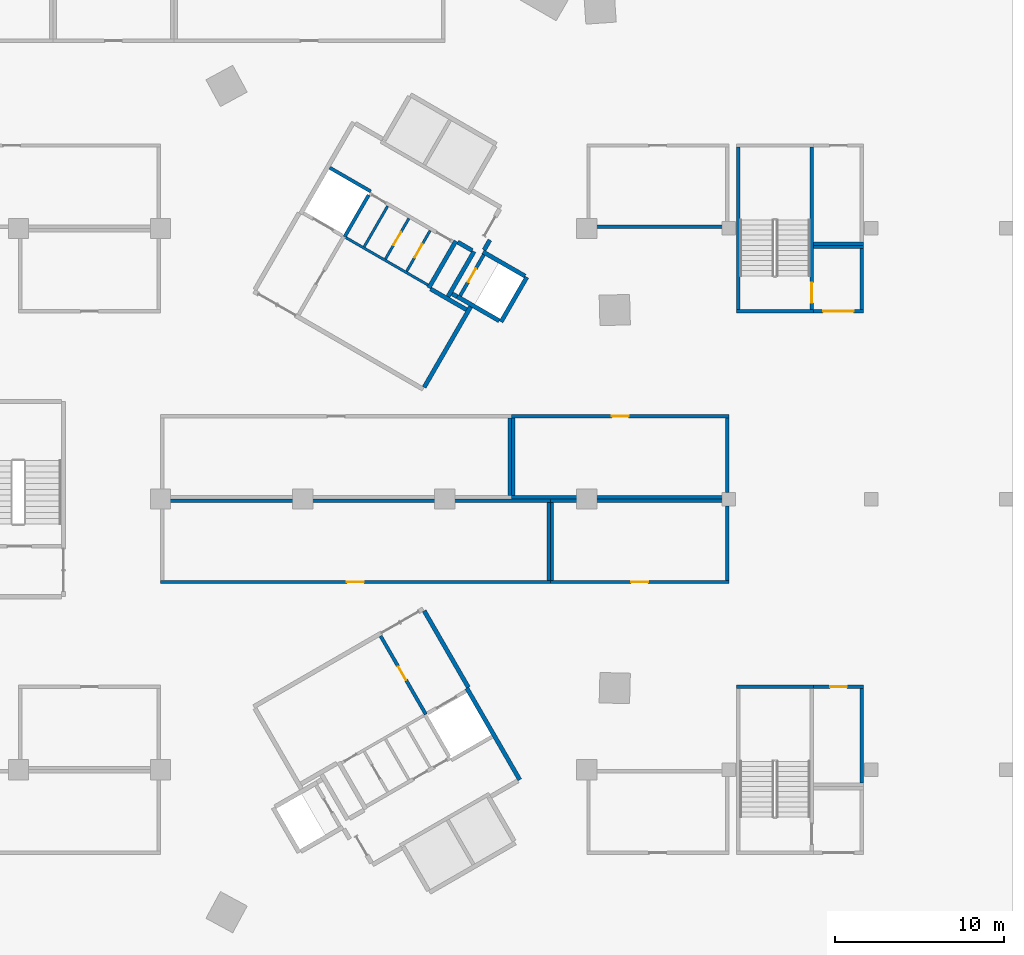
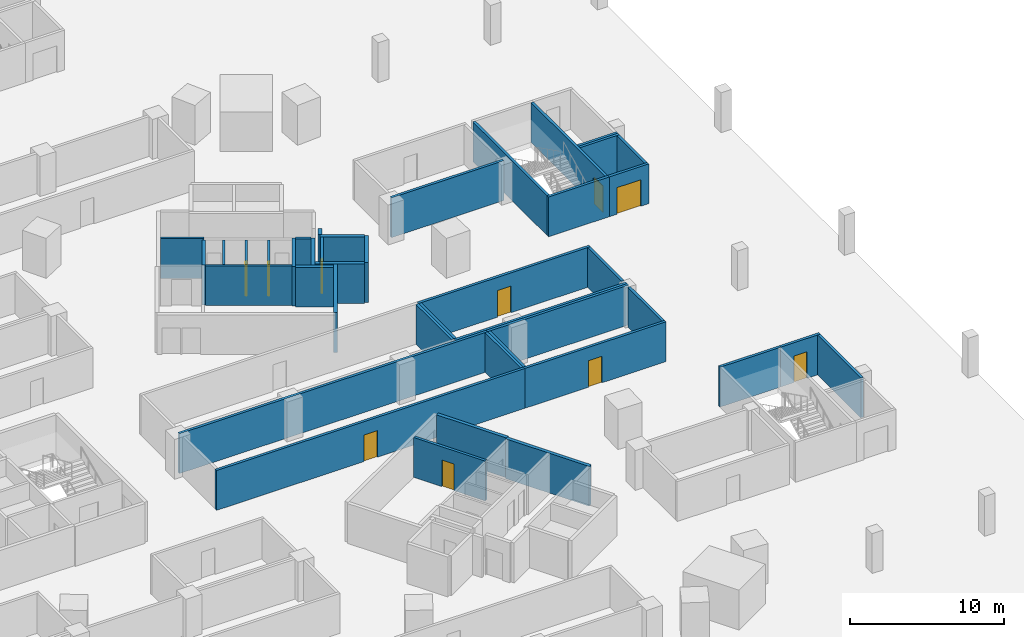
# One storey, part 13 of 37: 43 walls, 10 doors, 10 openings.
"""IFC4 building model written with IfcOpenShell, lengths in metres."""

from ifc_helpers import new_model, si_unit, direction, frame, frame_2d, origin, place, context, subcontext, project, spatial, rectangle, extrude, material, layer, layer_set, type_object, element, fill, save


model = new_model("IFC4")

# Units and contexts
model_context = context("Model", 3, precision=1e-05, world=origin(), true_north=direction((0.0, 1.0)))
body_context = subcontext(model_context, "Body", "Model", "MODEL_VIEW")
ifc_project = project(units=[si_unit("LENGTHUNIT", "METRE"), si_unit("AREAUNIT", "SQUARE_METRE"), si_unit("VOLUMEUNIT", "CUBIC_METRE"), si_unit("PLANEANGLEUNIT", "RADIAN"), si_unit("MASSUNIT", "GRAM", prefix="KILO")], contexts=[model_context])

# Site, building, storey
site_placement = place(None, origin())
site = spatial("IfcSite", under=ifc_project, at=site_placement, CompositionType="ELEMENT")
building_placement = place(site_placement, origin())
building = spatial("IfcBuilding", under=site, at=building_placement, Name="Tamra Quay Hotel Tower", CompositionType="ELEMENT")
storey_placement = place(building_placement, frame((0.0, 0.0, -3.60009765625)))
storey = spatial("IfcBuildingStorey", under=building, at=storey_placement, Name="B1", CompositionType="ELEMENT", Elevation=-3.60009765625)

# Wall, opening, door
ifc_material_1 = material(Name="Blockwork", Category="masonry")
ifc_layer_1 = layer(ifc_material_1, 0.199951171875)
ifc_layer_set_1 = layer_set([ifc_layer_1], Name="Car park room wall 200")
wall_type_1 = type_object("IfcWallType", Name="Car park room wall 200", PredefinedType="PARTITIONING", material=ifc_layer_set_1)
wall_1_placement = place(storey_placement, frame((-5.10009765625, -4.89990234375, 0.0), z_axis=(0.0, 0.0, 1.0), x_axis=(1.0, 0.0, 0.0)))
wall_1 = element("IfcWall", 1, at=wall_1_placement, inside=storey, type_object=wall_type_1, Name="PW", PredefinedType="PARTITIONING", context=body_context, shape_type="SweptSolid", body=[
    extrude(rectangle(XDim=23.0400390625, YDim=0.199951171875, at=frame_2d((11.52001953125, 0.0))), origin(), (0.0, 0.0, 1.0), 3.150146484375),
])
opening_1_placement = place(wall_1_placement, frame((11.02001953125, 0.0, 0.0)))
opening_1 = element("IfcOpeningElement", 2, at=opening_1_placement, cuts=wall_1, Name="Opening PD1", PredefinedType="OPENING", context=body_context, shape_type="SweptSolid", body=[
    extrude(rectangle(XDim=1.0, YDim=2.10009765625, at=frame_2d((0.5, 1.050048828125))), frame((0.0, 0.10986328125, 0.0), z_axis=(0.0, -1.0, 0.0), x_axis=(1.0, 0.0, 0.0)), (0.0, 0.0, 1.0), 0.219970703125),
])
ifc_material_2 = material(Name="Car park door 1000 x 2100")
door_type_1 = type_object("IfcDoorType", Name="Car park door 1000 x 2100", OperationType="NOTDEFINED", PredefinedType="DOOR", material=ifc_material_2)
door_1_placement = place(opening_1_placement, origin())
door_1 = element("IfcDoor", 3, at=door_1_placement, inside=storey, type_object=door_type_1, Name="PD1", OperationType="SINGLE_SWING_LEFT", OverallHeight=2.10009765625, OverallWidth=1.0, PredefinedType="DOOR", context=body_context, shape_type="SweptSolid", body=[
    extrude(rectangle(XDim=1.0, YDim=2.10009765625, at=frame_2d((0.5, 1.050048828125))), frame((0.0, 0.02490234375, 0.0), z_axis=(0.0, -1.0, 0.0), x_axis=(1.0, 0.0, 0.0)), (0.0, 0.0, 1.0), 0.050048828125),
])
fill(opening_1, door_1)

# Walls
wall_2_placement = place(storey_placement, frame((-5.10009765625, -0.10009765625, 0.0), z_axis=(0.0, 0.0, 1.0), x_axis=(1.0, 0.0, 0.0)))
element("IfcWall", 4, at=wall_2_placement, inside=storey, type_object=wall_type_1, Name="PW", PredefinedType="PARTITIONING", context=body_context, shape_type="SweptSolid", body=[
    extrude(rectangle(XDim=23.0400390625, YDim=0.199951171875, at=frame_2d((11.52001953125, 0.0))), origin(), (0.0, 0.0, 1.0), 3.150146484375),
])
wall_3_placement = place(storey_placement, frame((17.840087890625, -4.800048828125, 0.0), z_axis=(0.0, 0.0, 1.0), x_axis=(0.0, 1.0, 0.0)))
element("IfcWall", 5, at=wall_3_placement, inside=storey, type_object=wall_type_1, Name="PW", PredefinedType="PARTITIONING", context=body_context, shape_type="SweptSolid", body=[
    extrude(rectangle(XDim=4.60009765625, YDim=0.199951171875, at=frame_2d((2.300048828125, 0.0))), origin(), (0.0, 0.0, 1.0), 3.150146484375),
])

# Wall, opening, door
wall_4_placement = place(storey_placement, frame((17.93994140625, -4.89990234375, 0.0), z_axis=(0.0, 0.0, 1.0), x_axis=(1.0, 0.0, 0.0)))
wall_4 = element("IfcWall", 6, at=wall_4_placement, inside=storey, type_object=wall_type_1, Name="PW", PredefinedType="PARTITIONING", context=body_context, shape_type="SweptSolid", body=[
    extrude(rectangle(XDim=10.56005859375, YDim=0.199951171875, at=frame_2d((5.280029296875, 0.0))), origin(), (0.0, 0.0, 1.0), 3.150146484375),
])
opening_2_placement = place(wall_4_placement, frame((4.780029296875, 0.0, 0.0)))
opening_2 = element("IfcOpeningElement", 7, at=opening_2_placement, cuts=wall_4, Name="Opening PD1", PredefinedType="OPENING", context=body_context, shape_type="SweptSolid", body=[
    extrude(rectangle(XDim=1.0, YDim=2.10009765625, at=frame_2d((0.5, 1.050048828125))), frame((0.0, 0.10986328125, 0.0), z_axis=(0.0, -1.0, 0.0), x_axis=(1.0, 0.0, 0.0)), (0.0, 0.0, 1.0), 0.219970703125),
])
door_2_placement = place(opening_2_placement, origin())
door_2 = element("IfcDoor", 8, at=door_2_placement, inside=storey, type_object=door_type_1, Name="PD1", OperationType="SINGLE_SWING_LEFT", OverallHeight=2.10009765625, OverallWidth=1.0, PredefinedType="DOOR", context=body_context, shape_type="SweptSolid", body=[
    extrude(rectangle(XDim=1.0, YDim=2.10009765625, at=frame_2d((0.5, 1.050048828125))), frame((0.0, 0.02490234375, 0.0), z_axis=(0.0, -1.0, 0.0), x_axis=(1.0, 0.0, 0.0)), (0.0, 0.0, 1.0), 0.050048828125),
])
fill(opening_2, door_2)

# Walls
wall_5_placement = place(storey_placement, frame((17.93994140625, -0.10009765625, 0.0), z_axis=(0.0, 0.0, 1.0), x_axis=(1.0, 0.0, 0.0)))
element("IfcWall", 9, at=wall_5_placement, inside=storey, type_object=wall_type_1, Name="PW", PredefinedType="PARTITIONING", context=body_context, shape_type="SweptSolid", body=[
    extrude(rectangle(XDim=10.56005859375, YDim=0.199951171875, at=frame_2d((5.280029296875, 0.0))), origin(), (0.0, 0.0, 1.0), 3.150146484375),
])
wall_6_placement = place(storey_placement, frame((18.0400390625, -4.800048828125, 0.0), z_axis=(0.0, 0.0, 1.0), x_axis=(0.0, 1.0, 0.0)))
element("IfcWall", 10, at=wall_6_placement, inside=storey, type_object=wall_type_1, Name="PW", PredefinedType="PARTITIONING", context=body_context, shape_type="SweptSolid", body=[
    extrude(rectangle(XDim=4.60009765625, YDim=0.199951171875, at=frame_2d((2.300048828125, 0.0))), origin(), (0.0, 0.0, 1.0), 3.150146484375),
])
wall_7_placement = place(storey_placement, frame((28.39990234375, -4.800048828125, 0.0), z_axis=(0.0, 0.0, 1.0), x_axis=(0.0, 1.0, 0.0)))
element("IfcWall", 11, at=wall_7_placement, inside=storey, type_object=wall_type_1, Name="PW", PredefinedType="PARTITIONING", context=body_context, shape_type="SweptSolid", body=[
    extrude(rectangle(XDim=4.400146484375, YDim=0.199951171875, at=frame_2d((2.2001953125, 0.0))), origin(), (0.0, 0.0, 1.0), 3.150146484375),
])
wall_8_placement = place(storey_placement, frame((15.552978515625, 0.199951171875, 0.0), z_axis=(0.0, 0.0, 1.0), x_axis=(0.0, 1.0, 0.0)))
element("IfcWall", 12, at=wall_8_placement, inside=storey, type_object=wall_type_1, Name="PW", PredefinedType="PARTITIONING", context=body_context, shape_type="SweptSolid", body=[
    extrude(rectangle(XDim=4.60009765625, YDim=0.199951171875, at=frame_2d((2.300048828125, 0.0))), origin(), (0.0, 0.0, 1.0), 3.150146484375),
])
wall_9_placement = place(storey_placement, frame((15.65283203125, 0.10009765625, 0.0), z_axis=(0.0, 0.0, 1.0), x_axis=(1.0, 0.0, 0.0)))
element("IfcWall", 13, at=wall_9_placement, inside=storey, type_object=wall_type_1, Name="PW", PredefinedType="PARTITIONING", context=body_context, shape_type="SweptSolid", body=[
    extrude(rectangle(XDim=12.84716796875, YDim=0.199951171875, at=frame_2d((6.423583984375, 0.0))), origin(), (0.0, 0.0, 1.0), 3.150146484375),
])

# Wall, opening, door
wall_10_placement = place(storey_placement, frame((15.65283203125, 4.89990234375, 0.0), z_axis=(0.0, 0.0, 1.0), x_axis=(1.0, 0.0, 0.0)))
wall_10 = element("IfcWall", 14, at=wall_10_placement, inside=storey, type_object=wall_type_1, Name="PW", PredefinedType="PARTITIONING", context=body_context, shape_type="SweptSolid", body=[
    extrude(rectangle(XDim=12.84716796875, YDim=0.199951171875, at=frame_2d((6.423583984375, 0.0))), origin(), (0.0, 0.0, 1.0), 3.150146484375),
])
opening_3_placement = place(wall_10_placement, frame((5.923583984375, 0.0, 0.0)))
opening_3 = element("IfcOpeningElement", 15, at=opening_3_placement, cuts=wall_10, Name="Opening PD1", PredefinedType="OPENING", context=body_context, shape_type="SweptSolid", body=[
    extrude(rectangle(XDim=1.0, YDim=2.10009765625, at=frame_2d((0.5, 1.050048828125))), frame((0.0, 0.10986328125, 0.0), z_axis=(0.0, -1.0, 0.0), x_axis=(1.0, 0.0, 0.0)), (0.0, 0.0, 1.0), 0.219970703125),
])
door_3_placement = place(opening_3_placement, origin())
door_3 = element("IfcDoor", 16, at=door_3_placement, inside=storey, type_object=door_type_1, Name="PD1", OperationType="SINGLE_SWING_LEFT", OverallHeight=2.10009765625, OverallWidth=1.0, PredefinedType="DOOR", context=body_context, shape_type="SweptSolid", body=[
    extrude(rectangle(XDim=1.0, YDim=2.10009765625, at=frame_2d((0.5, 1.050048828125))), frame((0.0, 0.02490234375, 0.0), z_axis=(0.0, -1.0, 0.0), x_axis=(1.0, 0.0, 0.0)), (0.0, 0.0, 1.0), 0.050048828125),
])
fill(opening_3, door_3)

# Walls
wall_11_placement = place(storey_placement, frame((15.7529296875, 0.199951171875, 0.0), z_axis=(0.0, 0.0, 1.0), x_axis=(0.0, 1.0, 0.0)))
element("IfcWall", 17, at=wall_11_placement, inside=storey, type_object=wall_type_1, Name="PW", PredefinedType="PARTITIONING", context=body_context, shape_type="SweptSolid", body=[
    extrude(rectangle(XDim=4.60009765625, YDim=0.199951171875, at=frame_2d((2.300048828125, 0.0))), origin(), (0.0, 0.0, 1.0), 3.150146484375),
])
wall_12_placement = place(storey_placement, frame((28.39990234375, 0.39990234375, 0.0), z_axis=(0.0, 0.0, 1.0), x_axis=(0.0, 1.0, 0.0)))
element("IfcWall", 18, at=wall_12_placement, inside=storey, type_object=wall_type_1, Name="PW", PredefinedType="PARTITIONING", context=body_context, shape_type="SweptSolid", body=[
    extrude(rectangle(XDim=4.400146484375, YDim=0.199951171875, at=frame_2d((2.2001953125, 0.0))), origin(), (0.0, 0.0, 1.0), 3.150146484375),
])
wall_13_placement = place(storey_placement, frame((20.10009765625, 16.10009765625, 0.0), z_axis=(0.0, 0.0, 1.0), x_axis=(1.0, 0.0, 0.0)))
element("IfcWall", 19, at=wall_13_placement, inside=storey, type_object=wall_type_1, Name="PW", PredefinedType="PARTITIONING", context=body_context, shape_type="SweptSolid", body=[
    extrude(rectangle(XDim=8.39990234375, YDim=0.199951171875, at=frame_2d((4.199951171875, 0.0))), origin(), (0.0, 0.0, 1.0), 3.150146484375),
])

# Wall, opening, door
wall_14_placement = place(storey_placement, frame((33.5, -11.10009765625, 0.0), z_axis=(0.0, 0.0, 1.0), x_axis=(1.0, 0.0, 0.0)))
wall_14 = element("IfcWall", 20, at=wall_14_placement, inside=storey, type_object=wall_type_1, Name="PW", PredefinedType="PARTITIONING", context=body_context, shape_type="SweptSolid", body=[
    extrude(rectangle(XDim=2.949951171875, YDim=0.199951171875, at=frame_2d((1.47509765625, 0.0))), origin(), (0.0, 0.0, 1.0), 3.150146484375),
])
opening_4_placement = place(wall_14_placement, frame((0.97509765625, 0.0, 0.0)))
opening_4 = element("IfcOpeningElement", 21, at=opening_4_placement, cuts=wall_14, Name="Opening PD1", PredefinedType="OPENING", context=body_context, shape_type="SweptSolid", body=[
    extrude(rectangle(XDim=1.0, YDim=2.10009765625, at=frame_2d((0.5, 1.050048828125))), frame((0.0, 0.10986328125, 0.0), z_axis=(0.0, -1.0, 0.0), x_axis=(1.0, 0.0, 0.0)), (0.0, 0.0, 1.0), 0.219970703125),
])
door_4_placement = place(opening_4_placement, origin())
door_4 = element("IfcDoor", 22, at=door_4_placement, inside=storey, type_object=door_type_1, Name="PD1", OperationType="SINGLE_SWING_LEFT", OverallHeight=2.10009765625, OverallWidth=1.0, PredefinedType="DOOR", context=body_context, shape_type="SweptSolid", body=[
    extrude(rectangle(XDim=1.0, YDim=2.10009765625, at=frame_2d((0.5, 1.050048828125))), frame((0.0, 0.02490234375, 0.0), z_axis=(0.0, -1.0, 0.0), x_axis=(1.0, 0.0, 0.0)), (0.0, 0.0, 1.0), 0.050048828125),
])
fill(opening_4, door_4)

# Wall
wall_15_placement = place(storey_placement, frame((36.35009765625, -16.800048828125, 0.0), z_axis=(0.0, 0.0, 1.0), x_axis=(0.0, 1.0, 0.0)))
element("IfcWall", 23, at=wall_15_placement, inside=storey, type_object=wall_type_1, Name="PW", PredefinedType="PARTITIONING", context=body_context, shape_type="SweptSolid", body=[
    extrude(rectangle(XDim=5.60009765625, YDim=0.199951171875, at=frame_2d((2.800048828125, 0.0))), origin(), (0.0, 0.0, 1.0), 3.150146484375),
])

# Wall, opening, door
wall_16_placement = place(storey_placement, frame((33.5, 11.10009765625, 0.0), z_axis=(0.0, 0.0, 1.0), x_axis=(1.0, 0.0, 0.0)))
wall_16 = element("IfcWall", 24, at=wall_16_placement, inside=storey, type_object=wall_type_1, Name="PW", PredefinedType="PARTITIONING", context=body_context, shape_type="SweptSolid", body=[
    extrude(rectangle(XDim=2.949951171875, YDim=0.199951171875, at=frame_2d((1.47509765625, 0.0))), origin(), (0.0, 0.0, 1.0), 3.150146484375),
])
opening_5_placement = place(wall_16_placement, frame((0.574951171875, 0.0, 0.0)))
opening_5 = element("IfcOpeningElement", 25, at=opening_5_placement, cuts=wall_16, Name="Opening PD2", PredefinedType="OPENING", context=body_context, shape_type="SweptSolid", body=[
    extrude(rectangle(XDim=1.800048828125, YDim=2.10009765625, at=frame_2d((0.89990234375, 1.050048828125))), frame((0.0, 0.10986328125, 0.0), z_axis=(0.0, -1.0, 0.0), x_axis=(1.0, 0.0, 0.0)), (0.0, 0.0, 1.0), 0.219970703125),
])
ifc_material_3 = material(Name="Plant door 1800 x 2100")
door_type_2 = type_object("IfcDoorType", Name="Plant door 1800 x 2100", OperationType="DOUBLE_DOOR_SINGLE_SWING", PredefinedType="DOOR", material=ifc_material_3)
door_5_placement = place(opening_5_placement, origin())
door_5 = element("IfcDoor", 26, at=door_5_placement, inside=storey, type_object=door_type_2, Name="PD2", OperationType="DOUBLE_DOOR_SINGLE_SWING", OverallHeight=2.10009765625, OverallWidth=1.800048828125, PredefinedType="DOOR", context=body_context, shape_type="SweptSolid", body=[
    extrude(rectangle(XDim=1.800048828125, YDim=2.10009765625, at=frame_2d((0.89990234375, 1.050048828125))), frame((0.0, 0.02490234375, 0.0), z_axis=(0.0, -1.0, 0.0), x_axis=(1.0, 0.0, 0.0)), (0.0, 0.0, 1.0), 0.050048828125),
])
fill(opening_5, door_5)

# Walls
wall_17_placement = place(storey_placement, frame((33.5, 14.89990234375, 0.0), z_axis=(0.0, 0.0, 1.0), x_axis=(1.0, 0.0, 0.0)))
element("IfcWall", 27, at=wall_17_placement, inside=storey, type_object=wall_type_1, Name="PW", PredefinedType="PARTITIONING", context=body_context, shape_type="SweptSolid", body=[
    extrude(rectangle(XDim=2.949951171875, YDim=0.199951171875, at=frame_2d((1.47509765625, 0.0))), origin(), (0.0, 0.0, 1.0), 3.150146484375),
])
wall_18_placement = place(storey_placement, frame((36.35009765625, 11.199951171875, 0.0), z_axis=(0.0, 0.0, 1.0), x_axis=(0.0, 1.0, 0.0)))
element("IfcWall", 28, at=wall_18_placement, inside=storey, type_object=wall_type_1, Name="PW", PredefinedType="PARTITIONING", context=body_context, shape_type="SweptSolid", body=[
    extrude(rectangle(XDim=3.60009765625, YDim=0.199951171875, at=frame_2d((1.800048828125, 0.0))), origin(), (0.0, 0.0, 1.0), 3.150146484375),
])
wall_19_placement = place(storey_placement, frame((33.5, 15.10009765625, 0.0), z_axis=(0.0, 0.0, 1.0), x_axis=(1.0, 0.0, 0.0)))
element("IfcWall", 29, at=wall_19_placement, inside=storey, type_object=wall_type_1, Name="PW", PredefinedType="PARTITIONING", context=body_context, shape_type="SweptSolid", body=[
    extrude(rectangle(XDim=2.949951171875, YDim=0.199951171875, at=frame_2d((1.47509765625, 0.0))), origin(), (0.0, 0.0, 1.0), 3.150146484375),
])

# Wall, opening, door
ifc_material_4 = material(Name="Concrete M70", Category="concrete")
ifc_layer_2 = layer(ifc_material_4, 0.199951171875)
ifc_layer_set_2 = layer_set([ifc_layer_2], Name="Concrete M70 core wall 200")
wall_type_2 = type_object("IfcWallType", Name="Concrete M70 core wall 200", PredefinedType="SHEAR", material=ifc_layer_set_2)
wall_20_placement = place(storey_placement, frame((14.0078125, 14.442138671875, 0.0), z_axis=(0.0, 0.0, 1.0), x_axis=(-0.499986818241, -0.866033014143, 0.0)))
wall_20 = element("IfcWall", 30, at=wall_20_placement, inside=storey, type_object=wall_type_2, Name="CW2", PredefinedType="SHEAR", context=body_context, shape_type="SweptSolid", body=[
    extrude(rectangle(XDim=2.7978515625, YDim=0.199951171875, at=frame_2d((1.39892578125, 0.0))), origin(), (0.0, 0.0, 1.0), 3.150146484375),
])
opening_6_placement = place(wall_20_placement, frame((0.948974609375, 0.0, 0.0)))
opening_6 = element("IfcOpeningElement", 31, at=opening_6_placement, cuts=wall_20, Name="Opening D1", PredefinedType="OPENING", context=body_context, shape_type="SweptSolid", body=[
    extrude(rectangle(XDim=0.89990234375, YDim=2.10009765625, at=frame_2d((0.449951171875, 1.050048828125))), frame((0.0, 0.10986328125, 0.0), z_axis=(0.0, -1.0, 0.0), x_axis=(1.0, 0.0, 0.0)), (0.0, 0.0, 1.0), 0.219970703125),
])
ifc_material_5 = material(Name="Core door D1 900x2100 LH")
door_type_3 = type_object("IfcDoorType", Name="Core door D1 900x2100 LH", OperationType="NOTDEFINED", PredefinedType="DOOR", material=ifc_material_5)
door_6_placement = place(opening_6_placement, origin())
door_6 = element("IfcDoor", 32, at=door_6_placement, inside=storey, type_object=door_type_3, Name="D1", OperationType="SINGLE_SWING_LEFT", OverallHeight=2.10009765625, OverallWidth=0.89990234375, PredefinedType="DOOR", context=body_context, shape_type="SweptSolid", body=[
    extrude(rectangle(XDim=0.89990234375, YDim=2.10009765625, at=frame_2d((0.449951171875, 1.050048828125))), frame((0.0, 0.02490234375, 0.0), z_axis=(0.0, -1.0, 0.0), x_axis=(1.0, 0.0, 0.0)), (0.0, 0.0, 1.0), 0.050048828125),
])
fill(opening_6, door_6)

# Walls
wall_21_placement = place(storey_placement, frame((7.199462890625, 17.969970703125, 0.0), z_axis=(0.0, 0.0, 1.0), x_axis=(-0.499972122318, -0.866041498374, 0.0)))
element("IfcWall", 33, at=wall_21_placement, inside=storey, type_object=wall_type_2, Name="CW2", PredefinedType="SHEAR", context=body_context, shape_type="SweptSolid", body=[
    extrude(rectangle(XDim=2.849853515625, YDim=0.199951171875, at=frame_2d((1.4248046875, 0.0))), origin(), (0.0, 0.0, 1.0), 3.150146484375),
])
wall_22_placement = place(storey_placement, frame((4.900634765625, 19.5859375, 0.0), z_axis=(0.0, 0.0, 1.0), x_axis=(0.866022890907, -0.500004352405, 0.0)))
element("IfcWall", 34, at=wall_22_placement, inside=storey, type_object=wall_type_2, Name="CW2", PredefinedType="SHEAR", context=body_context, shape_type="SweptSolid", body=[
    extrude(rectangle(XDim=2.798828125, YDim=0.199951171875, at=frame_2d((1.3994140625, 0.0))), origin(), (0.0, 0.0, 1.0), 3.150146484375),
])

# Wall, opening, door
wall_23_placement = place(storey_placement, frame((7.906494140625, -8.094482421875, 0.0), z_axis=(0.0, 0.0, 1.0), x_axis=(0.500012186204, -0.866018367962, 0.0)))
wall_23 = element("IfcWall", 35, at=wall_23_placement, inside=storey, type_object=wall_type_2, Name="CW2", PredefinedType="SHEAR", context=body_context, shape_type="SweptSolid", body=[
    extrude(rectangle(XDim=5.348876953125, YDim=0.199951171875, at=frame_2d((2.67431640625, 0.0))), origin(), (0.0, 0.0, 1.0), 3.150146484375),
])
opening_7_placement = place(wall_23_placement, frame((2.09912109375, 0.0, 0.0)))
opening_7 = element("IfcOpeningElement", 36, at=opening_7_placement, cuts=wall_23, Name="Opening D2", PredefinedType="OPENING", context=body_context, shape_type="SweptSolid", body=[
    extrude(rectangle(XDim=0.89990234375, YDim=2.10009765625, at=frame_2d((0.449951171875, 1.050048828125))), frame((0.0, 0.10986328125, 0.0), z_axis=(0.0, -1.0, 0.0), x_axis=(1.0, 0.0, 0.0)), (0.0, 0.0, 1.0), 0.219970703125),
])
ifc_material_6 = material(Name="Core door D2 900x2100 LH")
door_type_4 = type_object("IfcDoorType", Name="Core door D2 900x2100 LH", OperationType="NOTDEFINED", PredefinedType="DOOR", material=ifc_material_6)
door_7_placement = place(opening_7_placement, origin())
door_7 = element("IfcDoor", 37, at=door_7_placement, inside=storey, type_object=door_type_4, Name="D2", OperationType="SINGLE_SWING_LEFT", OverallHeight=2.10009765625, OverallWidth=0.89990234375, PredefinedType="DOOR", context=body_context, shape_type="SweptSolid", body=[
    extrude(rectangle(XDim=0.89990234375, YDim=2.10009765625, at=frame_2d((0.449951171875, 1.050048828125))), frame((0.0, 0.02490234375, 0.0), z_axis=(0.0, -1.0, 0.0), x_axis=(1.0, 0.0, 0.0)), (0.0, 0.0, 1.0), 0.050048828125),
])
fill(opening_7, door_7)

# Walls
ifc_layer_3 = layer(ifc_material_4, 0.25)
ifc_layer_set_3 = layer_set([ifc_layer_3], Name="Concrete M70 core wall 250")
wall_type_3 = type_object("IfcWallType", Name="Concrete M70 core wall 250", PredefinedType="SHEAR", material=ifc_layer_set_3)
wall_24_placement = place(storey_placement, frame((13.237548828125, 11.3779296875, 0.0), z_axis=(0.0, 0.0, 1.0), x_axis=(-0.500008851346, -0.866020293397, 0.0)))
element("IfcWall", 38, at=wall_24_placement, inside=storey, type_object=wall_type_3, Name="CW1", PredefinedType="SHEAR", context=body_context, shape_type="SweptSolid", body=[
    extrude(rectangle(XDim=5.509765625, YDim=0.25, at=frame_2d((2.7548828125, 0.0))), origin(), (0.0, 0.0, 1.0), 3.150146484375),
])
wall_25_placement = place(storey_placement, frame((12.356689453125, 15.25244140625, 0.0), z_axis=(0.0, 0.0, 1.0), x_axis=(-0.500028443584, -0.866008981251, 0.0)))
element("IfcWall", 39, at=wall_25_placement, inside=storey, type_object=wall_type_3, Name="CW1", PredefinedType="SHEAR", context=body_context, shape_type="SweptSolid", body=[
    extrude(rectangle(XDim=3.199951171875, YDim=0.25, at=frame_2d((1.60009765625, 0.0))), origin(), (0.0, 0.0, 1.0), 3.150146484375),
])
wall_26_placement = place(storey_placement, frame((16.552001953125, 13.118896484375, 0.0), z_axis=(0.0, 0.0, 1.0), x_axis=(-0.499978833458, -0.866037623948, 0.0)))
element("IfcWall", 40, at=wall_26_placement, inside=storey, type_object=wall_type_3, Name="CW1", PredefinedType="SHEAR", context=body_context, shape_type="SweptSolid", body=[
    extrude(rectangle(XDim=3.050048828125, YDim=0.25, at=frame_2d((1.52490234375, 0.0))), origin(), (0.0, 0.0, 1.0), 3.150146484375),
])
wall_27_placement = place(storey_placement, frame((14.91845703125, 10.540283203125, 0.0), z_axis=(0.0, 0.0, 1.0), x_axis=(-0.866063538972, 0.499933942099, 0.0)))
element("IfcWall", 41, at=wall_27_placement, inside=storey, type_object=wall_type_3, Name="CW1", PredefinedType="SHEAR", context=body_context, shape_type="SweptSolid", body=[
    extrude(rectangle(XDim=2.86474609375, YDim=0.25, at=frame_2d((1.432373046875, 0.0))), origin(), (0.0, 0.0, 1.0), 3.150146484375),
])
wall_28_placement = place(storey_placement, frame((13.962646484375, 14.61376953125, 0.0), z_axis=(0.0, 0.0, 1.0), x_axis=(0.866042235819, -0.499970844928, 0.0)))
element("IfcWall", 42, at=wall_28_placement, inside=storey, type_object=wall_type_3, Name="CW1", PredefinedType="SHEAR", context=body_context, shape_type="SweptSolid", body=[
    extrude(rectangle(XDim=2.864501953125, YDim=0.25, at=frame_2d((1.43212890625, 0.0))), origin(), (0.0, 0.0, 1.0), 3.150146484375),
])
wall_29_placement = place(storey_placement, frame((11.887939453125, 11.960693359375, 0.0), z_axis=(0.0, 0.0, 1.0), x_axis=(0.500003324108, 0.866023484601, 0.0)))
element("IfcWall", 43, at=wall_29_placement, inside=storey, type_object=wall_type_3, Name="CW1", PredefinedType="SHEAR", context=body_context, shape_type="SweptSolid", body=[
    extrude(rectangle(XDim=3.0849609375, YDim=0.25, at=frame_2d((1.54248046875, 0.0))), origin(), (0.0, 0.0, 1.0), 3.150146484375),
])
wall_30_placement = place(storey_placement, frame((10.865234375, 12.41845703125, 0.0), z_axis=(0.0, 0.0, 1.0), x_axis=(0.866026229868, -0.499998569178, 0.0)))
element("IfcWall", 44, at=wall_30_placement, inside=storey, type_object=wall_type_3, Name="CW1", PredefinedType="SHEAR", context=body_context, shape_type="SweptSolid", body=[
    extrude(rectangle(XDim=2.44921875, YDim=0.25, at=frame_2d((1.224609375, 0.0))), origin(), (0.0, 0.0, 1.0), 3.150146484375),
])
wall_31_placement = place(storey_placement, frame((13.322021484375, 14.695068359375, 0.0), z_axis=(0.0, 0.0, 1.0), x_axis=(-0.866017078145, 0.500014420154, 0.0)))
element("IfcWall", 45, at=wall_31_placement, inside=storey, type_object=wall_type_3, Name="CW1", PredefinedType="SHEAR", context=body_context, shape_type="SweptSolid", body=[
    extrude(rectangle(XDim=0.9892578125, YDim=0.25, at=frame_2d((0.49462890625, 0.0))), origin(), (0.0, 0.0, 1.0), 3.150146484375),
])
wall_32_placement = place(storey_placement, frame((14.36767578125, 15.3154296875, 0.0), z_axis=(0.0, 0.0, 1.0), x_axis=(-0.499897359611, -0.866084655132, 0.0)))
element("IfcWall", 46, at=wall_32_placement, inside=storey, type_object=wall_type_3, Name="CW1", PredefinedType="SHEAR", context=body_context, shape_type="SweptSolid", body=[
    extrude(rectangle(XDim=0.684814453125, YDim=0.25, at=frame_2d((0.34228515625, 0.0))), origin(), (0.0, 0.0, 1.0), 3.150146484375),
])
wall_33_placement = place(storey_placement, frame((12.4326171875, 11.9638671875, 0.0), z_axis=(0.0, 0.0, 1.0), x_axis=(-0.866055875208, 0.499947218231, 0.0)))
element("IfcWall", 47, at=wall_33_placement, inside=storey, type_object=wall_type_3, Name="CW1", PredefinedType="SHEAR", context=body_context, shape_type="SweptSolid", body=[
    extrude(rectangle(XDim=0.3447265625, YDim=0.25, at=frame_2d((0.17236328125, 0.0))), origin(), (0.0, 0.0, 1.0), 3.150146484375),
])
wall_34_placement = place(storey_placement, frame((13.00830078125, -11.18115234375, 0.0), z_axis=(0.0, 0.0, 1.0), x_axis=(0.500004234368, -0.866022959057, 0.0)))
element("IfcWall", 48, at=wall_34_placement, inside=storey, type_object=wall_type_3, Name="CW1", PredefinedType="SHEAR", context=body_context, shape_type="SweptSolid", body=[
    extrude(rectangle(XDim=6.25, YDim=0.25, at=frame_2d((3.125, 0.0))), origin(), (0.0, 0.0, 1.0), 3.150146484375),
])
wall_35_placement = place(storey_placement, frame((10.482666015625, -6.6064453125, 0.0), z_axis=(0.0, 0.0, 1.0), x_axis=(0.49999885962, -0.866026062182, 0.0)))
element("IfcWall", 49, at=wall_35_placement, inside=storey, type_object=wall_type_3, Name="CW1", PredefinedType="SHEAR", context=body_context, shape_type="SweptSolid", body=[
    extrude(rectangle(XDim=5.224609375, YDim=0.25, at=frame_2d((2.6123046875, 0.0))), origin(), (0.0, 0.0, 1.0), 3.150146484375),
])
ifc_layer_4 = layer(ifc_material_4, 0.199951171875)
ifc_layer_set_4 = layer_set([ifc_layer_4], Name="Concrete M70 stair enclosure wall 200")
wall_type_4 = type_object("IfcWallType", Name="Concrete M70 stair enclosure wall 200", PredefinedType="SOLIDWALL", material=ifc_layer_set_4)
wall_36_placement = place(storey_placement, frame((28.949951171875, -11.10009765625, 0.0), z_axis=(0.0, 0.0, 1.0), x_axis=(1.0, 0.0, 0.0)))
element("IfcWall", 50, at=wall_36_placement, inside=storey, type_object=wall_type_4, Name="SEW", PredefinedType="SOLIDWALL", context=body_context, shape_type="SweptSolid", body=[
    extrude(rectangle(XDim=4.550048828125, YDim=0.199951171875, at=frame_2d((2.27490234375, 0.0))), origin(), (0.0, 0.0, 1.0), 3.150146484375),
])
wall_37_placement = place(storey_placement, frame((29.050048828125, 11.199951171875, 0.0), z_axis=(0.0, 0.0, 1.0), x_axis=(0.0, 1.0, 0.0)))
element("IfcWall", 51, at=wall_37_placement, inside=storey, type_object=wall_type_4, Name="SEW", PredefinedType="SOLIDWALL", context=body_context, shape_type="SweptSolid", body=[
    extrude(rectangle(XDim=9.60009765625, YDim=0.199951171875, at=frame_2d((4.800048828125, 0.0))), origin(), (0.0, 0.0, 1.0), 3.150146484375),
])

# Wall, opening, door
wall_38_placement = place(storey_placement, frame((33.39990234375, 11.199951171875, 0.0), z_axis=(0.0, 0.0, 1.0), x_axis=(0.0, 1.0, 0.0)))
wall_38 = element("IfcWall", 52, at=wall_38_placement, inside=storey, type_object=wall_type_4, Name="SEW", PredefinedType="SOLIDWALL", context=body_context, shape_type="SweptSolid", body=[
    extrude(rectangle(XDim=9.60009765625, YDim=0.199951171875, at=frame_2d((4.800048828125, 0.0))), origin(), (0.0, 0.0, 1.0), 3.150146484375),
])
opening_8_placement = place(wall_38_placement, frame((0.39990234375, 0.0, 0.0)))
opening_8 = element("IfcOpeningElement", 53, at=opening_8_placement, cuts=wall_38, Name="Opening SD1", PredefinedType="OPENING", context=body_context, shape_type="SweptSolid", body=[
    extrude(rectangle(XDim=1.199951171875, YDim=2.10009765625, at=frame_2d((0.60009765625, 1.050048828125))), frame((0.0, 0.10986328125, 0.0), z_axis=(0.0, -1.0, 0.0), x_axis=(1.0, 0.0, 0.0)), (0.0, 0.0, 1.0), 0.219970703125),
])
ifc_material_7 = material(Name="Stair door 1200 x 2100")
door_type_5 = type_object("IfcDoorType", Name="Stair door 1200 x 2100", OperationType="NOTDEFINED", PredefinedType="DOOR", material=ifc_material_7)
door_8_placement = place(opening_8_placement, origin())
door_8 = element("IfcDoor", 54, at=door_8_placement, inside=storey, type_object=door_type_5, Name="SD1", OperationType="SINGLE_SWING_LEFT", OverallHeight=2.10009765625, OverallWidth=1.199951171875, PredefinedType="DOOR", context=body_context, shape_type="SweptSolid", body=[
    extrude(rectangle(XDim=1.199951171875, YDim=2.10009765625, at=frame_2d((0.60009765625, 1.050048828125))), frame((0.0, 0.02490234375, 0.0), z_axis=(0.0, -1.0, 0.0), x_axis=(1.0, 0.0, 0.0)), (0.0, 0.0, 1.0), 0.050048828125),
])
fill(opening_8, door_8)

# Walls
wall_39_placement = place(storey_placement, frame((33.5, 11.10009765625, 0.0), z_axis=(0.0, 0.0, 1.0), x_axis=(-1.0, 0.0, 0.0)))
element("IfcWall", 55, at=wall_39_placement, inside=storey, type_object=wall_type_4, Name="SEW", PredefinedType="SOLIDWALL", context=body_context, shape_type="SweptSolid", body=[
    extrude(rectangle(XDim=4.550048828125, YDim=0.199951171875, at=frame_2d((2.27490234375, 0.0))), origin(), (0.0, 0.0, 1.0), 3.150146484375),
])
ifc_layer_5 = layer(ifc_material_1, 0.14990234375)
ifc_layer_set_5 = layer_set([ifc_layer_5], Name="Core partition block 150")
wall_type_5 = type_object("IfcWallType", Name="Core partition block 150", PredefinedType="PARTITIONING", material=ifc_layer_set_5)
wall_40_placement = place(storey_placement, frame((5.860595703125, 15.452392578125, 0.0), z_axis=(0.0, 0.0, 1.0), x_axis=(0.866026594901, -0.49999793692, 0.0)))
element("IfcWall", 56, at=wall_40_placement, inside=storey, type_object=wall_type_5, Name="CP1", PredefinedType="PARTITIONING", context=body_context, shape_type="SweptSolid", body=[
    extrude(rectangle(XDim=5.60009765625, YDim=0.14990234375, at=frame_2d((2.800048828125, 0.0))), origin(), (0.0, 0.0, 1.0), 3.150146484375),
])

# Wall, opening, door
wall_41_placement = place(storey_placement, frame((9.44970703125, 13.467529296875, 0.0), z_axis=(0.0, 0.0, 1.0), x_axis=(0.500001852011, 0.866024334523, 0.0)))
wall_41 = element("IfcWall", 57, at=wall_41_placement, inside=storey, type_object=wall_type_5, Name="CP1", PredefinedType="PARTITIONING", context=body_context, shape_type="SweptSolid", body=[
    extrude(rectangle(XDim=2.7734375, YDim=0.14990234375, at=frame_2d((1.38671875, 0.0))), origin(), (0.0, 0.0, 1.0), 3.150146484375),
])
opening_9_placement = place(wall_41_placement, frame((0.94921875, 0.0, 0.0)))
opening_9 = element("IfcOpeningElement", 58, at=opening_9_placement, cuts=wall_41, Name="Opening D2", PredefinedType="OPENING", context=body_context, shape_type="SweptSolid", body=[
    extrude(rectangle(XDim=0.89990234375, YDim=2.10009765625, at=frame_2d((0.449951171875, 1.050048828125))), frame((0.0, 0.0849609375, 0.0), z_axis=(0.0, -1.0, 0.0), x_axis=(1.0, 0.0, 0.0)), (0.0, 0.0, 1.0), 0.169921875),
])
ifc_material_8 = material(Name="Core door D2 900x2100 RH")
door_type_6 = type_object("IfcDoorType", Name="Core door D2 900x2100 RH", OperationType="NOTDEFINED", PredefinedType="DOOR", material=ifc_material_8)
door_9_placement = place(opening_9_placement, origin())
door_9 = element("IfcDoor", 59, at=door_9_placement, inside=storey, type_object=door_type_6, Name="D2", OperationType="SINGLE_SWING_RIGHT", OverallHeight=2.10009765625, OverallWidth=0.89990234375, PredefinedType="DOOR", context=body_context, shape_type="SweptSolid", body=[
    extrude(rectangle(XDim=0.89990234375, YDim=2.10009765625, at=frame_2d((0.449951171875, 1.050048828125))), frame((0.0, 0.02490234375, 0.0), z_axis=(0.0, -1.0, 0.0), x_axis=(1.0, 0.0, 0.0)), (0.0, 0.0, 1.0), 0.050048828125),
])
fill(opening_9, door_9)

wall_42_placement = place(storey_placement, frame((8.19384765625, 14.192626953125, 0.0), z_axis=(0.0, 0.0, 1.0), x_axis=(0.500001852011, 0.866024334523, 0.0)))
wall_42 = element("IfcWall", 60, at=wall_42_placement, inside=storey, type_object=wall_type_5, Name="CP1", PredefinedType="PARTITIONING", context=body_context, shape_type="SweptSolid", body=[
    extrude(rectangle(XDim=2.7734375, YDim=0.14990234375, at=frame_2d((1.38671875, 0.0))), origin(), (0.0, 0.0, 1.0), 3.150146484375),
])
opening_10_placement = place(wall_42_placement, frame((0.94921875, 0.0, 0.0)))
opening_10 = element("IfcOpeningElement", 61, at=opening_10_placement, cuts=wall_42, Name="Opening D2", PredefinedType="OPENING", context=body_context, shape_type="SweptSolid", body=[
    extrude(rectangle(XDim=0.89990234375, YDim=2.10009765625, at=frame_2d((0.449951171875, 1.050048828125))), frame((0.0, 0.0849609375, 0.0), z_axis=(0.0, -1.0, 0.0), x_axis=(1.0, 0.0, 0.0)), (0.0, 0.0, 1.0), 0.169921875),
])
door_10_placement = place(opening_10_placement, origin())
door_10 = element("IfcDoor", 62, at=door_10_placement, inside=storey, type_object=door_type_4, Name="D2", OperationType="SINGLE_SWING_LEFT", OverallHeight=2.10009765625, OverallWidth=0.89990234375, PredefinedType="DOOR", context=body_context, shape_type="SweptSolid", body=[
    extrude(rectangle(XDim=0.89990234375, YDim=2.10009765625, at=frame_2d((0.449951171875, 1.050048828125))), frame((0.0, 0.02490234375, 0.0), z_axis=(0.0, -1.0, 0.0), x_axis=(1.0, 0.0, 0.0)), (0.0, 0.0, 1.0), 0.050048828125),
])
fill(opening_10, door_10)

# Wall
wall_43_placement = place(storey_placement, frame((6.938232421875, 14.91748046875, 0.0), z_axis=(0.0, 0.0, 1.0), x_axis=(0.500001852011, 0.866024334523, 0.0)))
element("IfcWall", 63, at=wall_43_placement, inside=storey, type_object=wall_type_5, Name="CP1", PredefinedType="PARTITIONING", context=body_context, shape_type="SweptSolid", body=[
    extrude(rectangle(XDim=2.7734375, YDim=0.14990234375, at=frame_2d((1.38671875, 0.0))), origin(), (0.0, 0.0, 1.0), 3.150146484375),
])

save(model, "model.ifc")
